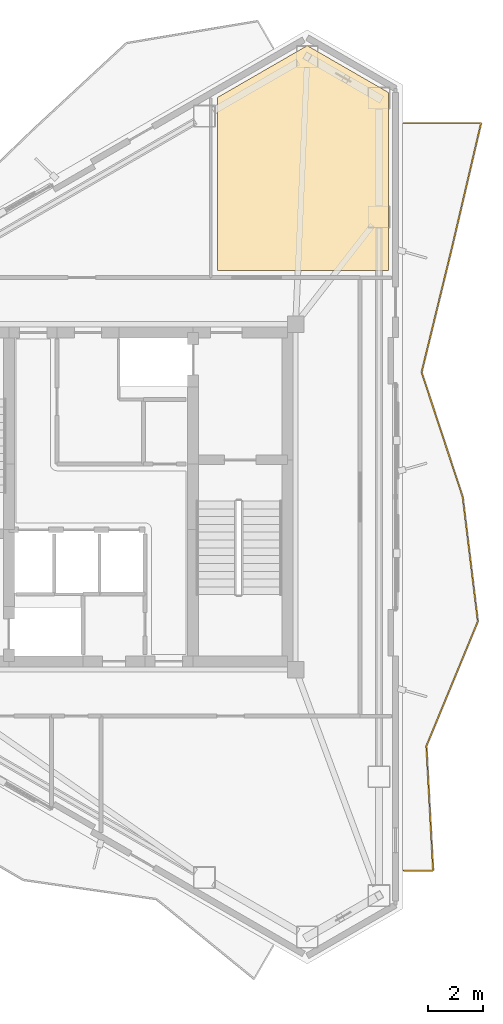
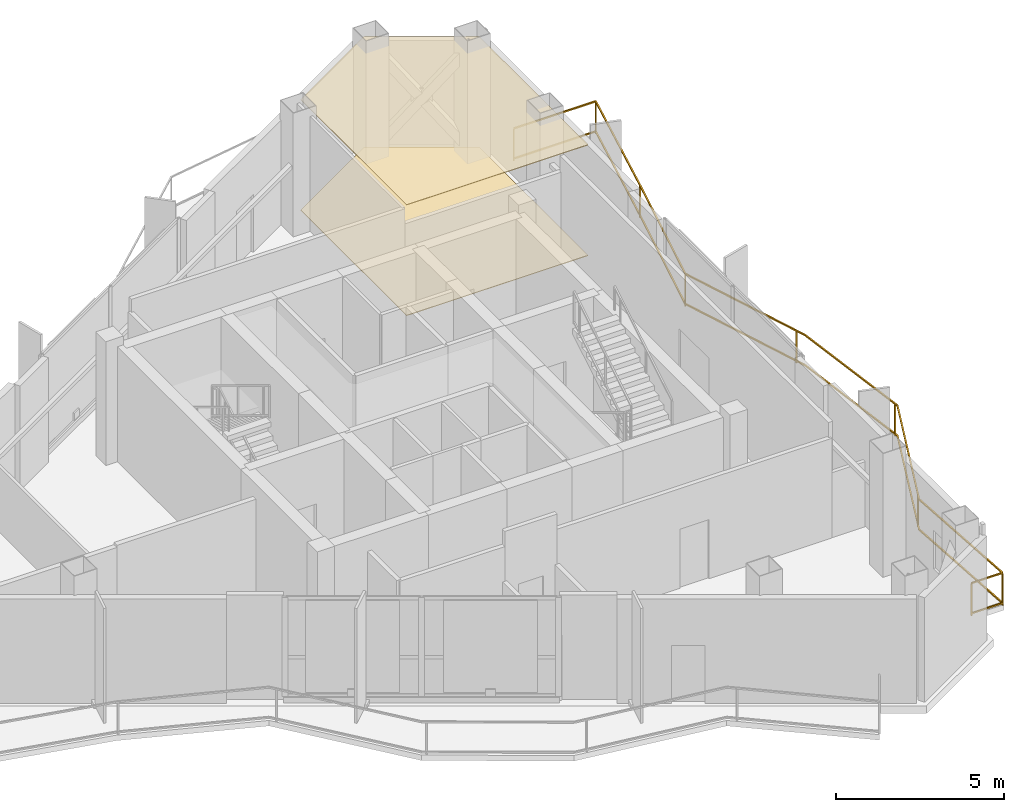
# One storey, part 14 of 14: 2 coverings, 1 railing.
"""IFC4 building model written with IfcOpenShell, lengths in metres."""

from ifc_helpers import new_model, si_unit, direction, frame, origin, origin_2d, place, context, subcontext, project, spatial, polyline, rectangle, outline, extrude, material, layer, layer_set, type_object, element, save


model = new_model("IFC4")

# Units and contexts
model_context = context("Model", 3, precision=1e-05, world=origin(), true_north=direction((0.0, 1.0)))
body_context = subcontext(model_context, "Body", "Model", "MODEL_VIEW")
ifc_project = project(units=[si_unit("LENGTHUNIT", "METRE"), si_unit("AREAUNIT", "SQUARE_METRE"), si_unit("VOLUMEUNIT", "CUBIC_METRE"), si_unit("PLANEANGLEUNIT", "RADIAN"), si_unit("MASSUNIT", "GRAM", prefix="KILO")], contexts=[model_context])

# Site, building, storey
site_placement = place(None, origin())
site = spatial("IfcSite", under=ifc_project, at=site_placement, CompositionType="ELEMENT")
building_placement = place(site_placement, origin())
building = spatial("IfcBuilding", under=site, at=building_placement, Name="Mersakhor Tower and Convention Hall", CompositionType="ELEMENT")
storey_placement = place(building_placement, frame((0.0, 0.0, 254.10009765625)))
storey = spatial("IfcBuildingStorey", under=building, at=storey_placement, Name="L71", CompositionType="ELEMENT", Elevation=254.10009765625)

# Coverings
ifc_material_1 = material(Name="Acoustic mineral-fibre suspended ceiling", Category="other")
ifc_layer_1 = layer(ifc_material_1, 0.02490234375)
ifc_layer_set_1 = layer_set([ifc_layer_1], Name="Acoustic mineral-fibre suspended ceiling")
covering_type_1 = type_object("IfcCoveringType", Name="COV-CLG-25", PredefinedType="CEILING", material=ifc_layer_set_1)
covering_1_placement = place(storey_placement, frame((0.0, 0.0, 4.02001953125)))
element("IfcCovering", 1, at=covering_1_placement, inside=storey, type_object=covering_type_1, Name="L71 Subtropical Palm Solarium Hall Acoustic Suspended Ceiling", PredefinedType="CEILING", context=body_context, shape_type="SweptSolid", body=[
    extrude(outline(polyline([(39.492919921875, 35.0), (33.25, 35.0), (33.25, 41.319580078125), (36.52490234375, 43.210205078125), (39.492919921875, 41.49755859375), (39.492919921875, 35.0)])), origin(), (0.0, 0.0, 1.0), 0.02490234375),
])
ifc_material_2 = material(Name="Polished porcelain tile flooring", Category="other")
ifc_layer_2 = layer(ifc_material_2, 0.02001953125)
ifc_layer_set_2 = layer_set([ifc_layer_2], Name="Polished porcelain tile flooring")
covering_type_2 = type_object("IfcCoveringType", Name="COV-FLR-20", PredefinedType="FLOORING", material=ifc_layer_set_2)
covering_2_placement = place(storey_placement, origin())
element("IfcCovering", 2, at=covering_2_placement, inside=storey, type_object=covering_type_2, Name="L71 Subtropical Palm Solarium Hall Porcelain Floor Finish", PredefinedType="FLOORING", context=body_context, shape_type="SweptSolid", body=[
    extrude(outline(polyline([(39.492919921875, 35.0), (33.25, 35.0), (33.25, 41.319580078125), (36.52490234375, 43.210205078125), (39.492919921875, 41.49755859375), (39.492919921875, 35.0)])), origin(), (0.0, 0.0, 1.0), 0.02001953125),
])

# Railing
ifc_material_3 = material(Name="Powder-coated galvanised steel and laminated glass balustrade", Category="steel")
railing_type = type_object("IfcRailingType", Name="RL-BAL-1200", PredefinedType="BALUSTRADE", material=ifc_material_3)
railing_placement = place(storey_placement, frame((40.042724609375, 13.114013671875, 0.0)))
element("IfcRailing", 3, at=railing_placement, inside=storey, type_object=railing_type, Name="L71 Sinusoidal Balcony Balustrade F2", PredefinedType="BALUSTRADE", context=body_context, shape_type="SweptSolid", body=[
    extrude(rectangle(XDim=0.048095703125, YDim=0.048095703125, at=origin_2d()), frame((0.0, 0.0, 1.17578125), z_axis=(1.0, 0.0, 0.0), x_axis=(0.0, 1.0, 0.0)), (0.0, 0.0, 1.0), 1.070068359375),
    extrude(rectangle(XDim=0.048095703125, YDim=0.048095703125, at=origin_2d()), frame((0.0, 0.0, 0.080078125), z_axis=(1.0, 0.0, 0.0), x_axis=(0.0, 1.0, 0.0)), (0.0, 0.0, 1.0), 1.070068359375),
    extrude(rectangle(XDim=0.048095703125, YDim=0.048095703125, at=origin_2d()), frame((1.070068359375, 0.0, 1.17578125), z_axis=(-0.053957913195, 0.998543210684, 0.0), x_axis=(-0.998543210684, -0.053957913195, 0.0)), (0.0, 0.0, 1.0), 4.5517578125),
    extrude(rectangle(XDim=0.048095703125, YDim=0.048095703125, at=origin_2d()), frame((1.070068359375, 0.0, 0.080078125), z_axis=(-0.053957913195, 0.998543210684, 0.0), x_axis=(-0.998543210684, -0.053957913195, 0.0)), (0.0, 0.0, 1.0), 4.5517578125),
    extrude(rectangle(XDim=0.048095703125, YDim=0.048095703125, at=origin_2d()), frame((0.824462890625, 4.545166015625, 1.17578125), z_axis=(0.381843122679, 0.924227152632, 0.0), x_axis=(-0.924227152632, 0.381843122679, 0.0)), (0.0, 0.0, 1.0), 4.91796875),
    extrude(rectangle(XDim=0.048095703125, YDim=0.048095703125, at=origin_2d()), frame((0.824462890625, 4.545166015625, 0.080078125), z_axis=(0.381843122679, 0.924227152632, 0.0), x_axis=(-0.924227152632, 0.381843122679, 0.0)), (0.0, 0.0, 1.0), 4.91796875),
    extrude(rectangle(XDim=0.048095703125, YDim=0.048095703125, at=origin_2d()), frame((2.702392578125, 9.090576171875, 1.17578125), z_axis=(-0.120713516098, 0.992687386356, 0.0), x_axis=(-0.992687386356, -0.120713516098, 0.0)), (0.0, 0.0, 1.0), 4.578857421875),
    extrude(rectangle(XDim=0.048095703125, YDim=0.048095703125, at=origin_2d()), frame((2.702392578125, 9.090576171875, 0.080078125), z_axis=(-0.120713516098, 0.992687386356, 0.0), x_axis=(-0.992687386356, -0.120713516098, 0.0)), (0.0, 0.0, 1.0), 4.578857421875),
    extrude(rectangle(XDim=0.048095703125, YDim=0.048095703125, at=origin_2d()), frame((2.149658203125, 13.635986328125, 1.17578125), z_axis=(-0.313288216101, 0.949658093027, 0.0), x_axis=(-0.949658093027, -0.313288216101, 0.0)), (0.0, 0.0, 1.0), 4.786376953125),
    extrude(rectangle(XDim=0.048095703125, YDim=0.048095703125, at=origin_2d()), frame((2.149658203125, 13.635986328125, 0.080078125), z_axis=(-0.313288216101, 0.949658093027, 0.0), x_axis=(-0.949658093027, -0.313288216101, 0.0)), (0.0, 0.0, 1.0), 4.786376953125),
    extrude(rectangle(XDim=0.048095703125, YDim=0.048095703125, at=origin_2d()), frame((0.650146484375, 18.181396484375, 1.17578125), z_axis=(0.236711099531, 0.971580081804, 0.0), x_axis=(-0.971580081804, 0.236711099531, 0.0)), (0.0, 0.0, 1.0), 4.678466796875),
    extrude(rectangle(XDim=0.048095703125, YDim=0.048095703125, at=origin_2d()), frame((0.650146484375, 18.181396484375, 0.080078125), z_axis=(0.236711099531, 0.971580081804, 0.0), x_axis=(-0.971580081804, 0.236711099531, 0.0)), (0.0, 0.0, 1.0), 4.678466796875),
    extrude(rectangle(XDim=0.048095703125, YDim=0.048095703125, at=origin_2d()), frame((1.757568359375, 22.726806640625, 1.17578125), z_axis=(0.22762807888, 0.973748149013, 0.0), x_axis=(-0.973748149013, 0.22762807888, 0.0)), (0.0, 0.0, 1.0), 4.667724609375),
    extrude(rectangle(XDim=0.048095703125, YDim=0.048095703125, at=origin_2d()), frame((1.757568359375, 22.726806640625, 0.080078125), z_axis=(0.22762807888, 0.973748149013, 0.0), x_axis=(-0.973748149013, 0.22762807888, 0.0)), (0.0, 0.0, 1.0), 4.667724609375),
    extrude(rectangle(XDim=0.048095703125, YDim=0.048095703125, at=origin_2d()), frame((2.820068359375, 27.27197265625, 1.17578125), z_axis=(-1.0, 0.0, 0.0), x_axis=(0.0, -1.0, 0.0)), (0.0, 0.0, 1.0), 2.820068359375),
    extrude(rectangle(XDim=0.048095703125, YDim=0.048095703125, at=origin_2d()), frame((2.820068359375, 27.27197265625, 0.080078125), z_axis=(-1.0, 0.0, 0.0), x_axis=(0.0, -1.0, 0.0)), (0.0, 0.0, 1.0), 2.820068359375),
    extrude(rectangle(XDim=0.0419921875, YDim=0.0419921875, at=origin_2d()), origin(), (0.0, 0.0, 1.0), 1.15185546875),
    extrude(rectangle(XDim=0.0419921875, YDim=0.0419921875, at=origin_2d()), frame((1.070068359375, 0.0, 0.0)), (0.0, 0.0, 1.0), 1.15185546875),
    extrude(rectangle(XDim=0.0419921875, YDim=0.0419921875, at=origin_2d()), frame((0.919189453125, 4.774658203125, 0.0)), (0.0, 0.0, 1.0), 1.15185546875),
    extrude(rectangle(XDim=0.0419921875, YDim=0.0419921875, at=origin_2d()), frame((2.686767578125, 9.2197265625, 0.0)), (0.0, 0.0, 1.0), 1.15185546875),
    extrude(rectangle(XDim=0.0419921875, YDim=0.0419921875, at=origin_2d()), frame((2.03955078125, 13.969482421875, 0.0)), (0.0, 0.0, 1.0), 1.15185546875),
    extrude(rectangle(XDim=0.0419921875, YDim=0.0419921875, at=origin_2d()), frame((0.650146484375, 18.181396484375, 0.0)), (0.0, 0.0, 1.0), 1.15185546875),
    extrude(rectangle(XDim=0.0419921875, YDim=0.0419921875, at=origin_2d()), frame((1.78515625, 22.84521484375, 0.0)), (0.0, 0.0, 1.0), 1.15185546875),
    extrude(rectangle(XDim=0.0419921875, YDim=0.0419921875, at=origin_2d()), frame((2.820068359375, 27.27197265625, 0.0)), (0.0, 0.0, 1.0), 1.15185546875),
    extrude(rectangle(XDim=0.0419921875, YDim=0.0419921875, at=origin_2d()), frame((0.0, 27.27197265625, 0.0)), (0.0, 0.0, 1.0), 1.15185546875),
])

save(model, "model.ifc")
